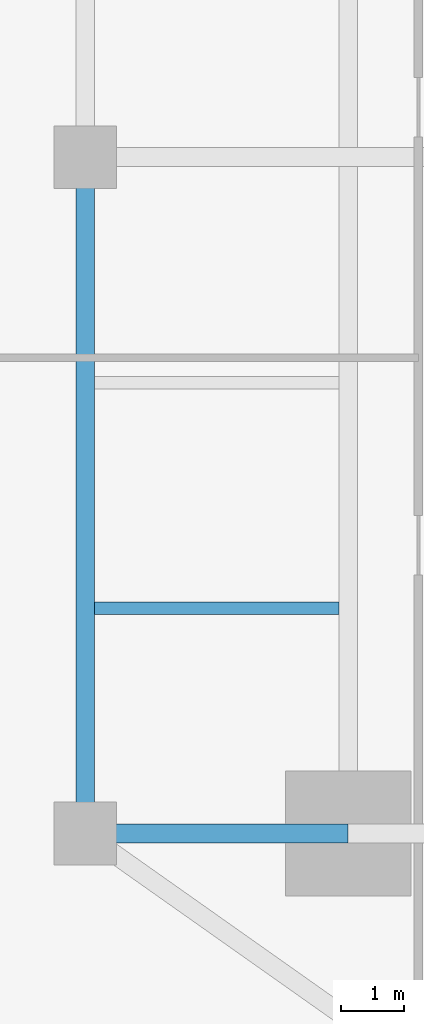
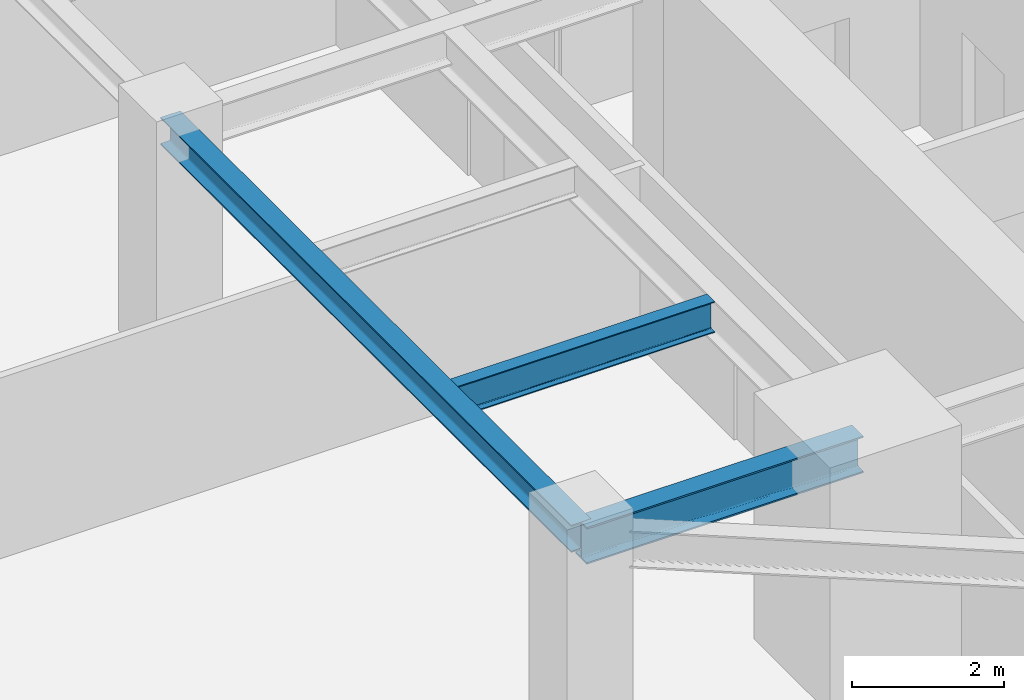
# One storey, part 6 of 26: 3 beams.
"""IFC4 building model written with IfcOpenShell, lengths in metres."""

from ifc_helpers import new_model, si_unit, direction, frame, origin, origin_2d, place, context, subcontext, project, spatial, i_section, extrude, source, transform, mapped, material, material_profile, profile_set, type_object, type_shapes, element, save


model = new_model("IFC4")

# Units and contexts
model_context = context("Model", 3, precision=1e-05, world=origin(), true_north=direction((0.0, 1.0)))
body_context = subcontext(model_context, "Body", "Model", "MODEL_VIEW")
ifc_project = project(units=[si_unit("LENGTHUNIT", "METRE"), si_unit("AREAUNIT", "SQUARE_METRE"), si_unit("VOLUMEUNIT", "CUBIC_METRE"), si_unit("PLANEANGLEUNIT", "RADIAN"), si_unit("MASSUNIT", "GRAM", prefix="KILO")], contexts=[model_context])

# Site, building, storey
site_placement = place(None, origin())
site = spatial("IfcSite", under=ifc_project, at=site_placement, CompositionType="ELEMENT")
building_placement = place(site_placement, origin())
building = spatial("IfcBuilding", under=site, at=building_placement, Name="Krantzveldt Concourse Tower", CompositionType="ELEMENT")
storey_placement = place(building_placement, frame((0.0, 0.0, 137.449951171875)))
storey = spatial("IfcBuildingStorey", under=building, at=storey_placement, Name="L33", CompositionType="ELEMENT", Elevation=137.449951171875)

# Beams
ifc_material = material(Name="Steel S355JR", Category="steel")
ifc_material_profile_1 = material_profile(ifc_material, i_section(OverallWidth=0.300048828125, OverallDepth=0.43994140625, WebThickness=0.011474609375, FlangeThickness=0.02099609375, FilletRadius=0.027099609375, at=origin_2d()), Name="Steel S355JR", Category="steel")
ifc_profile_set_1 = profile_set([ifc_material_profile_1], Name="Steel S355JR - HEA 450")
beam_type_1 = type_object("IfcBeamType", Name="BM-SP-HEA450", PredefinedType="SPANDREL", material=ifc_profile_set_1)
shared_shape_1 = source(origin(), body_context, "Body", "SweptSolid", [
    extrude(i_section(OverallWidth=0.300048828125, OverallDepth=0.43994140625, WebThickness=0.011474609375, FlangeThickness=0.02099609375, FilletRadius=0.027099609375, at=origin_2d()), origin(), (0.0, 0.0, 1.0), 10.800048828125),
])
type_shapes(beam_type_1, [shared_shape_1])
beam_1_placement = place(storey_placement, frame((21.0, 15.89990234375, 3.380126953125), z_axis=(0.0, 1.0, 0.0), x_axis=(-1.0, 0.0, 0.0)))
element("IfcBeam", 1, at=beam_1_placement, inside=storey, type_object=beam_type_1, Name="L33 Tower Girder SP-R01", PredefinedType="SPANDREL", context=body_context, shape_type="MappedRepresentation", body=[
    mapped(shared_shape_1, transform((0.0, 0.0, 0.0), x_axis=(1.0, 0.0, 0.0), y_axis=(0.0, 1.0, 0.0), z_axis=(0.0, 0.0, 1.0), scale=1.0)),
])
ifc_material_profile_2 = material_profile(ifc_material, i_section(OverallWidth=0.300048828125, OverallDepth=0.590087890625, WebThickness=0.012939453125, FlangeThickness=0.02490234375, FilletRadius=0.027099609375, at=origin_2d()), Name="Steel S355JR", Category="steel")
ifc_profile_set_2 = profile_set([ifc_material_profile_2], Name="Steel S355JR - HEA 600")
beam_type_2 = type_object("IfcBeamType", Name="BM-B-HEA600", PredefinedType="BEAM", material=ifc_profile_set_2)
shared_shape_2 = source(origin(), body_context, "Body", "SweptSolid", [
    extrude(i_section(OverallWidth=0.300048828125, OverallDepth=0.590087890625, WebThickness=0.012939453125, FlangeThickness=0.02490234375, FilletRadius=0.027099609375, at=origin_2d()), origin(), (0.0, 0.0, 1.0), 4.199951171875),
])
type_shapes(beam_type_2, [shared_shape_2])
beam_2_placement = place(storey_placement, frame((21.0, 15.89990234375, 3.304931640625), z_axis=(1.0, 0.0, 0.0), x_axis=(0.0, 1.0, 0.0)))
element("IfcBeam", 2, at=beam_2_placement, inside=storey, type_object=beam_type_2, Name="L33 Tower Girder BR-RL1", PredefinedType="BEAM", context=body_context, shape_type="MappedRepresentation", body=[
    mapped(shared_shape_2, transform((0.0, 0.0, 0.0), x_axis=(1.0, 0.0, 0.0), y_axis=(0.0, 1.0, 0.0), z_axis=(0.0, 0.0, 1.0), scale=1.0)),
])
ifc_material_profile_3 = material_profile(ifc_material, i_section(OverallWidth=0.199951171875, OverallDepth=0.5, WebThickness=0.01025390625, FlangeThickness=0.01611328125, FilletRadius=0.02099609375, at=origin_2d()), Name="Steel S355JR", Category="steel")
ifc_profile_set_3 = profile_set([ifc_material_profile_3], Name="Steel S355JR - IPE 500")
beam_type_3 = type_object("IfcBeamType", Name="BM-J-IPE500", PredefinedType="JOIST", material=ifc_profile_set_3)
shared_shape_3 = source(origin(), body_context, "Body", "SweptSolid", [
    extrude(i_section(OverallWidth=0.199951171875, OverallDepth=0.5, WebThickness=0.01025390625, FlangeThickness=0.01611328125, FilletRadius=0.02099609375, at=origin_2d()), origin(), (0.0, 0.0, 1.0), 3.900146484375),
])
type_shapes(beam_type_3, [shared_shape_3])
beam_3_placement = place(storey_placement, frame((21.14990234375, 19.5, 3.35009765625), z_axis=(1.0, 0.0, 0.0), x_axis=(0.0, 1.0, 0.0)))
element("IfcBeam", 3, at=beam_3_placement, inside=storey, type_object=beam_type_3, Name="L33 Secondary Floor Joist JW-1", PredefinedType="JOIST", context=body_context, shape_type="MappedRepresentation", body=[
    mapped(shared_shape_3, transform((0.0, 0.0, 0.0), x_axis=(1.0, 0.0, 0.0), y_axis=(0.0, 1.0, 0.0), z_axis=(0.0, 0.0, 1.0), scale=1.0)),
])

save(model, "model.ifc")
